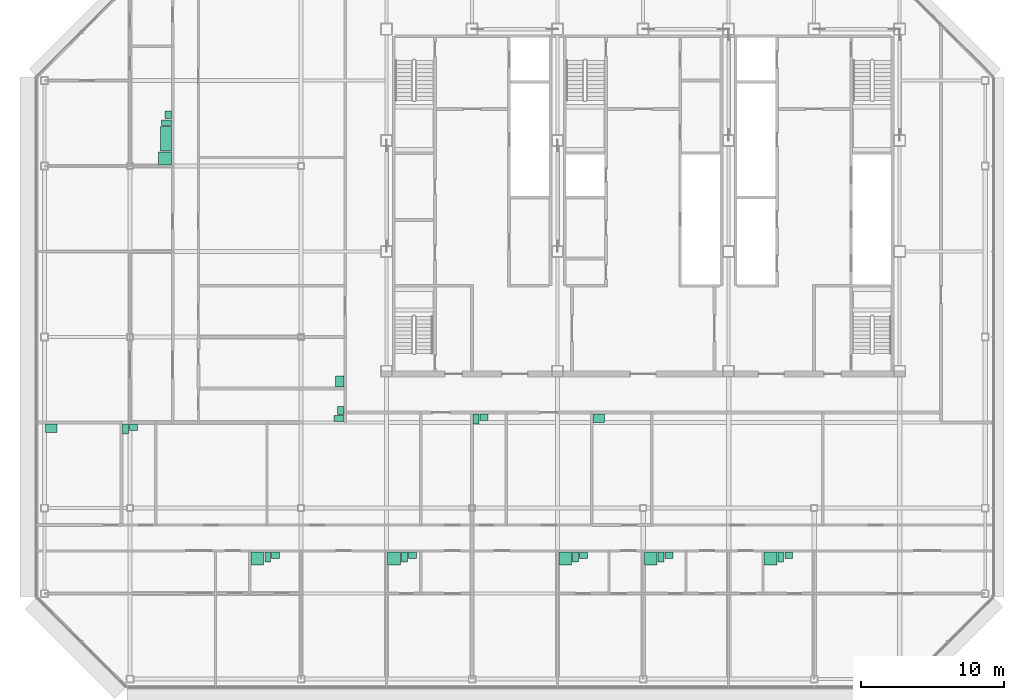
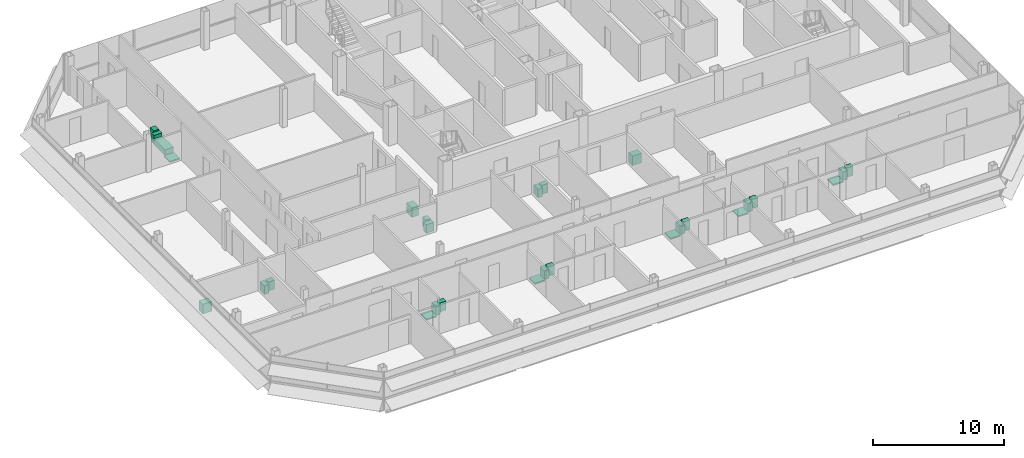
# One storey, part 28 of 28: 28 sanitary terminals.
"""IFC4 building model written with IfcOpenShell, lengths in metres."""

from ifc_helpers import new_model, si_unit, direction, frame, origin, origin_2d, place, context, subcontext, project, spatial, rectangle, extrude, element, save


model = new_model("IFC4")

# Units and contexts
model_context = context("Model", 3, precision=1e-05, world=origin(), true_north=direction((0.0, 1.0)))
body_context = subcontext(model_context, "Body", "Model", "MODEL_VIEW")
ifc_project = project(units=[si_unit("LENGTHUNIT", "METRE"), si_unit("AREAUNIT", "SQUARE_METRE"), si_unit("VOLUMEUNIT", "CUBIC_METRE"), si_unit("PLANEANGLEUNIT", "RADIAN"), si_unit("MASSUNIT", "GRAM", prefix="KILO")], contexts=[model_context])

# Site, building, storey
site_placement = place(None, origin())
site = spatial("IfcSite", under=ifc_project, at=site_placement, CompositionType="ELEMENT")
building_placement = place(site_placement, origin())
building = spatial("IfcBuilding", under=site, at=building_placement, Name="Sorahane Residences", CompositionType="ELEMENT")
storey_placement = place(building_placement, frame((0.0, 0.0, 308.800048828125)))
storey = spatial("IfcBuildingStorey", under=building, at=storey_placement, Name="L73", CompositionType="ELEMENT", Elevation=308.800048828125)

# Sanitary terminals
sanitary_terminal_1_placement = place(storey_placement, frame((-3.070068359375, 8.449951171875, 0.0), z_axis=(0.0, 0.0, 1.0), x_axis=(1.0, 0.0, 0.0)))
element("IfcSanitaryTerminal", 1, at=sanitary_terminal_1_placement, inside=storey, Name="Shower tray En-suite bathroom 73A", PredefinedType="SHOWER", context=body_context, shape_type="SweptSolid", body=[
    extrude(rectangle(XDim=0.89990234375, YDim=0.89990234375, at=origin_2d()), origin(), (0.0, 0.0, 1.0), 0.1201171875),
])
sanitary_terminal_2_placement = place(storey_placement, frame((-2.340087890625, 8.550048828125, 0.0), z_axis=(0.0, 0.0, 1.0), x_axis=(1.0, 0.0, 0.0)))
element("IfcSanitaryTerminal", 2, at=sanitary_terminal_2_placement, inside=storey, Name="WC pan En-suite bathroom 73A", PredefinedType="TOILETPAN", context=body_context, shape_type="SweptSolid", body=[
    extrude(rectangle(XDim=0.39990234375, YDim=0.699951171875, at=origin_2d()), origin(), (0.0, 0.0, 1.0), 0.800048828125),
])
sanitary_terminal_3_placement = place(storey_placement, frame((-1.784912109375, 8.675048828125, 0.0), z_axis=(0.0, 0.0, 1.0), x_axis=(1.0, 0.0, 0.0)))
element("IfcSanitaryTerminal", 3, at=sanitary_terminal_3_placement, inside=storey, Name="Wash basin En-suite bathroom 73A", PredefinedType="WASHHANDBASIN", context=body_context, shape_type="SweptSolid", body=[
    extrude(rectangle(XDim=0.550048828125, YDim=0.449951171875, at=origin_2d()), origin(), (0.0, 0.0, 1.0), 0.85009765625),
])
sanitary_terminal_4_placement = place(storey_placement, frame((6.530029296875, 8.449951171875, 0.0), z_axis=(0.0, 0.0, 1.0), x_axis=(1.0, 0.0, 0.0)))
element("IfcSanitaryTerminal", 4, at=sanitary_terminal_4_placement, inside=storey, Name="Shower tray En-suite bathroom 73A-2", PredefinedType="SHOWER", context=body_context, shape_type="SweptSolid", body=[
    extrude(rectangle(XDim=0.89990234375, YDim=0.89990234375, at=origin_2d()), origin(), (0.0, 0.0, 1.0), 0.1201171875),
])
sanitary_terminal_5_placement = place(storey_placement, frame((7.260009765625, 8.550048828125, 0.0), z_axis=(0.0, 0.0, 1.0), x_axis=(1.0, 0.0, 0.0)))
element("IfcSanitaryTerminal", 5, at=sanitary_terminal_5_placement, inside=storey, Name="WC pan En-suite bathroom 73A-2", PredefinedType="TOILETPAN", context=body_context, shape_type="SweptSolid", body=[
    extrude(rectangle(XDim=0.39990234375, YDim=0.699951171875, at=origin_2d()), origin(), (0.0, 0.0, 1.0), 0.800048828125),
])
sanitary_terminal_6_placement = place(storey_placement, frame((7.81494140625, 8.675048828125, 0.0), z_axis=(0.0, 0.0, 1.0), x_axis=(1.0, 0.0, 0.0)))
element("IfcSanitaryTerminal", 6, at=sanitary_terminal_6_placement, inside=storey, Name="Wash basin En-suite bathroom 73A-2", PredefinedType="WASHHANDBASIN", context=body_context, shape_type="SweptSolid", body=[
    extrude(rectangle(XDim=0.550048828125, YDim=0.449951171875, at=origin_2d()), origin(), (0.0, 0.0, 1.0), 0.85009765625),
])
sanitary_terminal_7_placement = place(storey_placement, frame((-17.52001953125, 17.60009765625, 0.0), z_axis=(0.0, 0.0, 1.0), x_axis=(1.0, 0.0, 0.0)))
element("IfcSanitaryTerminal", 7, at=sanitary_terminal_7_placement, inside=storey, Name="Kitchen sink Kitchen 73A", PredefinedType="SINK", context=body_context, shape_type="SweptSolid", body=[
    extrude(rectangle(XDim=0.800048828125, YDim=0.60009765625, at=origin_2d()), origin(), (0.0, 0.0, 1.0), 0.89990234375),
])
sanitary_terminal_8_placement = place(storey_placement, frame((-12.320068359375, 17.550048828125, 0.0), z_axis=(0.0, 0.0, 1.0), x_axis=(1.0, 0.0, 0.0)))
element("IfcSanitaryTerminal", 8, at=sanitary_terminal_8_placement, inside=storey, Name="WC pan Powder room 73A", PredefinedType="TOILETPAN", context=body_context, shape_type="SweptSolid", body=[
    extrude(rectangle(XDim=0.39990234375, YDim=0.699951171875, at=origin_2d()), origin(), (0.0, 0.0, 1.0), 0.800048828125),
])
sanitary_terminal_9_placement = place(storey_placement, frame((-11.764892578125, 17.675048828125, 0.0), z_axis=(0.0, 0.0, 1.0), x_axis=(1.0, 0.0, 0.0)))
element("IfcSanitaryTerminal", 9, at=sanitary_terminal_9_placement, inside=storey, Name="Wash basin Powder room 73A", PredefinedType="WASHHANDBASIN", context=body_context, shape_type="SweptSolid", body=[
    extrude(rectangle(XDim=0.550048828125, YDim=0.449951171875, at=origin_2d()), origin(), (0.0, 0.0, 1.0), 0.85009765625),
])
sanitary_terminal_10_placement = place(storey_placement, frame((18.530029296875, 8.449951171875, 0.0), z_axis=(0.0, 0.0, 1.0), x_axis=(1.0, 0.0, 0.0)))
element("IfcSanitaryTerminal", 10, at=sanitary_terminal_10_placement, inside=storey, Name="Shower tray En-suite bathroom 73B", PredefinedType="SHOWER", context=body_context, shape_type="SweptSolid", body=[
    extrude(rectangle(XDim=0.89990234375, YDim=0.89990234375, at=origin_2d()), origin(), (0.0, 0.0, 1.0), 0.1201171875),
])
sanitary_terminal_11_placement = place(storey_placement, frame((19.260009765625, 8.550048828125, 0.0), z_axis=(0.0, 0.0, 1.0), x_axis=(1.0, 0.0, 0.0)))
element("IfcSanitaryTerminal", 11, at=sanitary_terminal_11_placement, inside=storey, Name="WC pan En-suite bathroom 73B", PredefinedType="TOILETPAN", context=body_context, shape_type="SweptSolid", body=[
    extrude(rectangle(XDim=0.39990234375, YDim=0.699951171875, at=origin_2d()), origin(), (0.0, 0.0, 1.0), 0.800048828125),
])
sanitary_terminal_12_placement = place(storey_placement, frame((19.81494140625, 8.675048828125, 0.0), z_axis=(0.0, 0.0, 1.0), x_axis=(1.0, 0.0, 0.0)))
element("IfcSanitaryTerminal", 12, at=sanitary_terminal_12_placement, inside=storey, Name="Wash basin En-suite bathroom 73B", PredefinedType="WASHHANDBASIN", context=body_context, shape_type="SweptSolid", body=[
    extrude(rectangle(XDim=0.550048828125, YDim=0.449951171875, at=origin_2d()), origin(), (0.0, 0.0, 1.0), 0.85009765625),
])
sanitary_terminal_13_placement = place(storey_placement, frame((24.530029296875, 8.449951171875, 0.0), z_axis=(0.0, 0.0, 1.0), x_axis=(1.0, 0.0, 0.0)))
element("IfcSanitaryTerminal", 13, at=sanitary_terminal_13_placement, inside=storey, Name="Shower tray En-suite bathroom 73B-2", PredefinedType="SHOWER", context=body_context, shape_type="SweptSolid", body=[
    extrude(rectangle(XDim=0.89990234375, YDim=0.89990234375, at=origin_2d()), origin(), (0.0, 0.0, 1.0), 0.1201171875),
])
sanitary_terminal_14_placement = place(storey_placement, frame((25.260009765625, 8.550048828125, 0.0), z_axis=(0.0, 0.0, 1.0), x_axis=(1.0, 0.0, 0.0)))
element("IfcSanitaryTerminal", 14, at=sanitary_terminal_14_placement, inside=storey, Name="WC pan En-suite bathroom 73B-2", PredefinedType="TOILETPAN", context=body_context, shape_type="SweptSolid", body=[
    extrude(rectangle(XDim=0.39990234375, YDim=0.699951171875, at=origin_2d()), origin(), (0.0, 0.0, 1.0), 0.800048828125),
])
sanitary_terminal_15_placement = place(storey_placement, frame((25.81494140625, 8.675048828125, 0.0), z_axis=(0.0, 0.0, 1.0), x_axis=(1.0, 0.0, 0.0)))
element("IfcSanitaryTerminal", 15, at=sanitary_terminal_15_placement, inside=storey, Name="Wash basin En-suite bathroom 73B-2", PredefinedType="WASHHANDBASIN", context=body_context, shape_type="SweptSolid", body=[
    extrude(rectangle(XDim=0.550048828125, YDim=0.449951171875, at=origin_2d()), origin(), (0.0, 0.0, 1.0), 0.85009765625),
])
sanitary_terminal_16_placement = place(storey_placement, frame((32.929931640625, 8.449951171875, 0.0), z_axis=(0.0, 0.0, 1.0), x_axis=(1.0, 0.0, 0.0)))
element("IfcSanitaryTerminal", 16, at=sanitary_terminal_16_placement, inside=storey, Name="Shower tray En-suite bathroom 73B-3", PredefinedType="SHOWER", context=body_context, shape_type="SweptSolid", body=[
    extrude(rectangle(XDim=0.89990234375, YDim=0.89990234375, at=origin_2d()), origin(), (0.0, 0.0, 1.0), 0.1201171875),
])
sanitary_terminal_17_placement = place(storey_placement, frame((33.659912109375, 8.550048828125, 0.0), z_axis=(0.0, 0.0, 1.0), x_axis=(1.0, 0.0, 0.0)))
element("IfcSanitaryTerminal", 17, at=sanitary_terminal_17_placement, inside=storey, Name="WC pan En-suite bathroom 73B-3", PredefinedType="TOILETPAN", context=body_context, shape_type="SweptSolid", body=[
    extrude(rectangle(XDim=0.39990234375, YDim=0.699951171875, at=origin_2d()), origin(), (0.0, 0.0, 1.0), 0.800048828125),
])
sanitary_terminal_18_placement = place(storey_placement, frame((34.215087890625, 8.675048828125, 0.0), z_axis=(0.0, 0.0, 1.0), x_axis=(1.0, 0.0, 0.0)))
element("IfcSanitaryTerminal", 18, at=sanitary_terminal_18_placement, inside=storey, Name="Wash basin En-suite bathroom 73B-3", PredefinedType="WASHHANDBASIN", context=body_context, shape_type="SweptSolid", body=[
    extrude(rectangle(XDim=0.550048828125, YDim=0.449951171875, at=origin_2d()), origin(), (0.0, 0.0, 1.0), 0.85009765625),
])
sanitary_terminal_19_placement = place(storey_placement, frame((12.280029296875, 18.25, 0.0), z_axis=(0.0, 0.0, 1.0), x_axis=(1.0, 0.0, 0.0)))
element("IfcSanitaryTerminal", 19, at=sanitary_terminal_19_placement, inside=storey, Name="WC pan Powder room 73B", PredefinedType="TOILETPAN", context=body_context, shape_type="SweptSolid", body=[
    extrude(rectangle(XDim=0.39990234375, YDim=0.699951171875, at=origin_2d()), origin(), (0.0, 0.0, 1.0), 0.800048828125),
])
sanitary_terminal_20_placement = place(storey_placement, frame((12.8349609375, 18.375, 0.0), z_axis=(0.0, 0.0, 1.0), x_axis=(1.0, 0.0, 0.0)))
element("IfcSanitaryTerminal", 20, at=sanitary_terminal_20_placement, inside=storey, Name="Wash basin Powder room 73B", PredefinedType="WASHHANDBASIN", context=body_context, shape_type="SweptSolid", body=[
    extrude(rectangle(XDim=0.550048828125, YDim=0.449951171875, at=origin_2d()), origin(), (0.0, 0.0, 1.0), 0.85009765625),
])
sanitary_terminal_21_placement = place(storey_placement, frame((20.8798828125, 18.300048828125, 0.0), z_axis=(0.0, 0.0, 1.0), x_axis=(1.0, 0.0, 0.0)))
element("IfcSanitaryTerminal", 21, at=sanitary_terminal_21_placement, inside=storey, Name="Kitchen sink Kitchen 73B", PredefinedType="SINK", context=body_context, shape_type="SweptSolid", body=[
    extrude(rectangle(XDim=0.800048828125, YDim=0.60009765625, at=origin_2d()), origin(), (0.0, 0.0, 1.0), 0.89990234375),
])
sanitary_terminal_22_placement = place(storey_placement, frame((-9.550048828125, 36.530029296875, 0.0), z_axis=(0.0, 0.0, 1.0), x_axis=(0.0, -1.0, 0.0)))
element("IfcSanitaryTerminal", 22, at=sanitary_terminal_22_placement, inside=storey, Name="Shower tray En-suite bathroom 73C", PredefinedType="SHOWER", context=body_context, shape_type="SweptSolid", body=[
    extrude(rectangle(XDim=0.89990234375, YDim=0.89990234375, at=origin_2d()), origin(), (0.0, 0.0, 1.0), 0.1201171875),
])
sanitary_terminal_23_placement = place(storey_placement, frame((-9.47509765625, 37.909912109375, 0.0), z_axis=(0.0, 0.0, 1.0), x_axis=(0.0, -1.0, 0.0)))
element("IfcSanitaryTerminal", 23, at=sanitary_terminal_23_placement, inside=storey, Name="Bath En-suite bathroom 73C", PredefinedType="BATH", context=body_context, shape_type="SweptSolid", body=[
    extrude(rectangle(XDim=1.699951171875, YDim=0.75, at=origin_2d()), origin(), (0.0, 0.0, 1.0), 0.56005859375),
])
sanitary_terminal_24_placement = place(storey_placement, frame((-9.449951171875, 39.0400390625, 0.0), z_axis=(0.0, 0.0, 1.0), x_axis=(0.0, -1.0, 0.0)))
element("IfcSanitaryTerminal", 24, at=sanitary_terminal_24_placement, inside=storey, Name="WC pan En-suite bathroom 73C", PredefinedType="TOILETPAN", context=body_context, shape_type="SweptSolid", body=[
    extrude(rectangle(XDim=0.39990234375, YDim=0.699951171875, at=origin_2d()), origin(), (0.0, 0.0, 1.0), 0.800048828125),
])
sanitary_terminal_25_placement = place(storey_placement, frame((-9.324951171875, 39.594970703125, 0.0), z_axis=(0.0, 0.0, 1.0), x_axis=(0.0, -1.0, 0.0)))
element("IfcSanitaryTerminal", 25, at=sanitary_terminal_25_placement, inside=storey, Name="Wash basin En-suite bathroom 73C", PredefinedType="WASHHANDBASIN", context=body_context, shape_type="SweptSolid", body=[
    extrude(rectangle(XDim=0.550048828125, YDim=0.449951171875, at=origin_2d()), origin(), (0.0, 0.0, 1.0), 0.85009765625),
])
sanitary_terminal_26_placement = place(storey_placement, frame((2.64990234375, 18.280029296875, 0.0), z_axis=(0.0, 0.0, 1.0), x_axis=(0.0, -1.0, 0.0)))
element("IfcSanitaryTerminal", 26, at=sanitary_terminal_26_placement, inside=storey, Name="WC pan Guest WC 73C", PredefinedType="TOILETPAN", context=body_context, shape_type="SweptSolid", body=[
    extrude(rectangle(XDim=0.39990234375, YDim=0.699951171875, at=origin_2d()), origin(), (0.0, 0.0, 1.0), 0.800048828125),
])
sanitary_terminal_27_placement = place(storey_placement, frame((2.77490234375, 18.8349609375, 0.0), z_axis=(0.0, 0.0, 1.0), x_axis=(0.0, -1.0, 0.0)))
element("IfcSanitaryTerminal", 27, at=sanitary_terminal_27_placement, inside=storey, Name="Wash basin Guest WC 73C", PredefinedType="WASHHANDBASIN", context=body_context, shape_type="SweptSolid", body=[
    extrude(rectangle(XDim=0.550048828125, YDim=0.449951171875, at=origin_2d()), origin(), (0.0, 0.0, 1.0), 0.85009765625),
])
sanitary_terminal_28_placement = place(storey_placement, frame((2.699951171875, 20.8798828125, 0.0), z_axis=(0.0, 0.0, 1.0), x_axis=(0.0, -1.0, 0.0)))
element("IfcSanitaryTerminal", 28, at=sanitary_terminal_28_placement, inside=storey, Name="Kitchen sink Kitchen 73C", PredefinedType="SINK", context=body_context, shape_type="SweptSolid", body=[
    extrude(rectangle(XDim=0.800048828125, YDim=0.60009765625, at=origin_2d()), origin(), (0.0, 0.0, 1.0), 0.89990234375),
])

save(model, "model.ifc")
